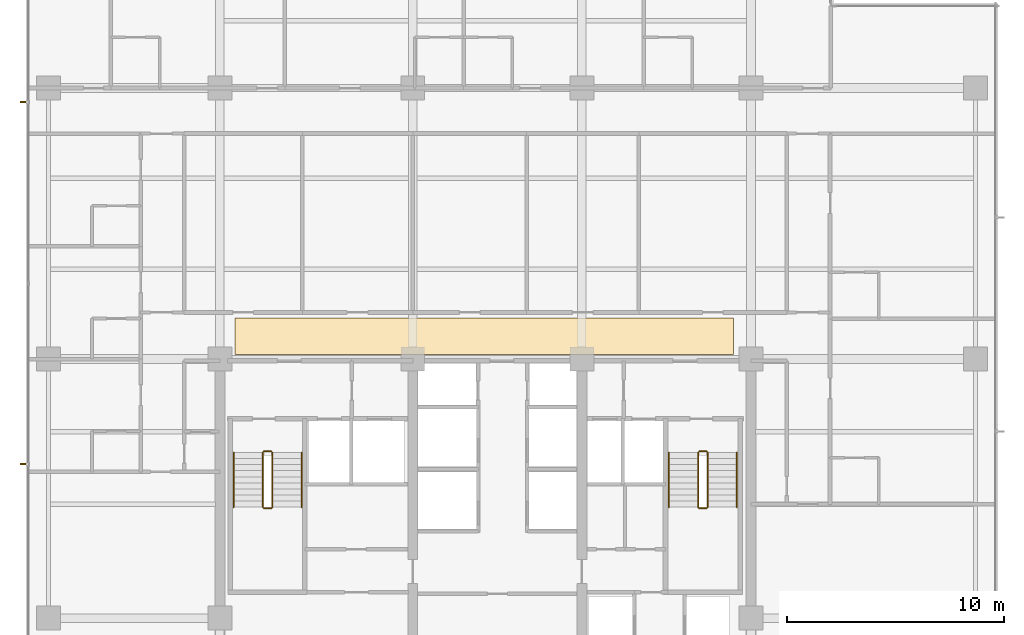
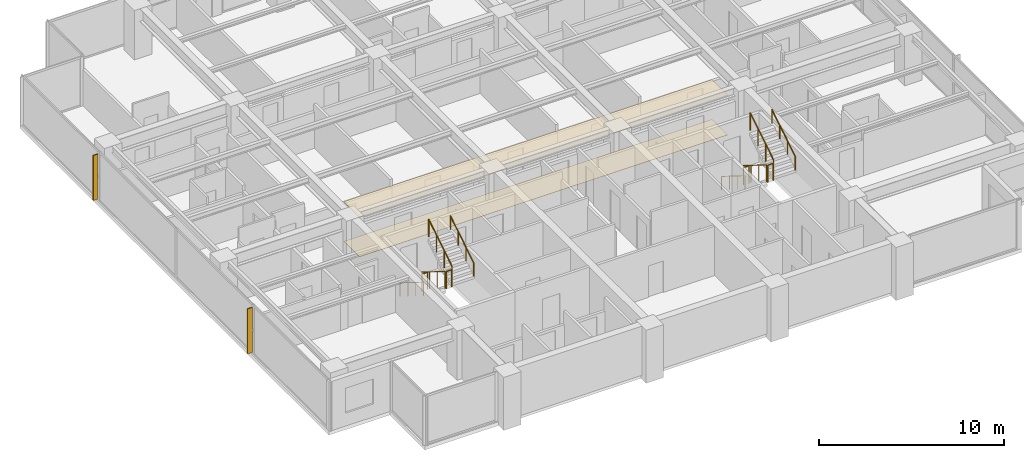
# One storey, part 14 of 15: 12 railings, 2 coverings, 2 shading devices.
"""IFC4 building model written with IfcOpenShell, lengths in metres."""

from ifc_helpers import new_model, si_unit, direction, frame, origin, origin_2d, place, context, subcontext, project, spatial, polyline, circle, outline, extrude, material, layer, layer_set, type_object, element, save


model = new_model("IFC4")

# Units and contexts
model_context = context("Model", 3, precision=1e-05, world=origin(), true_north=direction((0.0, 1.0)))
body_context = subcontext(model_context, "Body", "Model", "MODEL_VIEW")
ifc_project = project(units=[si_unit("LENGTHUNIT", "METRE"), si_unit("AREAUNIT", "SQUARE_METRE"), si_unit("VOLUMEUNIT", "CUBIC_METRE"), si_unit("PLANEANGLEUNIT", "RADIAN"), si_unit("MASSUNIT", "GRAM", prefix="KILO")], contexts=[model_context])

# Site, building, storey
site_placement = place(None, origin())
site = spatial("IfcSite", under=ifc_project, at=site_placement, CompositionType="ELEMENT")
building_placement = place(site_placement, origin())
building = spatial("IfcBuilding", under=site, at=building_placement, Name="Qalmaran Belvedere Hotel", CompositionType="ELEMENT")
storey_placement = place(building_placement, frame((0.0, 0.0, 142.10009765625)))
storey = spatial("IfcBuildingStorey", under=building, at=storey_placement, Name="L35", CompositionType="ELEMENT", Elevation=142.10009765625)

# Covering
ifc_material_1 = material(Name="Acoustic Mineral Ceiling")
ifc_layer_1 = layer(ifc_material_1, 0.0400390625, Name="Acoustic Mineral Ceiling")
ifc_layer_set_1 = layer_set([ifc_layer_1], Name="Acoustic Mineral Ceiling")
covering_type_1 = type_object("IfcCoveringType", Name="CLG-ACOUSTIC-40", PredefinedType="CEILING", material=ifc_layer_set_1)
covering_1_placement = place(storey_placement, frame((0.0, 0.0, 2.599853515625)))
element("IfcCovering", 1, at=covering_1_placement, inside=storey, type_object=covering_type_1, Name="L35 Acoustic Corridor Ceiling", PredefinedType="CEILING", context=body_context, shape_type="SweptSolid", body=[
    extrude(outline(polyline([(21.0, 20.699951171875), (44.0, 20.699951171875), (44.0, 22.39990234375), (21.0, 22.39990234375), (21.0, 20.699951171875)])), origin(), (0.0, 0.0, 1.0), 0.0400390625),
])

# Shading devices
ifc_material_2 = material(Name="Anodised Bronze Aluminium", Category="aluminium")
ifc_layer_2 = layer(ifc_material_2, 0.06494140625, Name="Anodised Bronze Aluminium")
ifc_layer_set_2 = layer_set([ifc_layer_2], Name="Anodised Bronze Aluminium")
shading_device_type = type_object("IfcShadingDeviceType", Name="FIN-BRNZ-300", PredefinedType="USERDEFINED", material=ifc_layer_set_2)
shading_device_1_placement = place(storey_placement, frame((0.0, 0.0, 0.159912109375)))
element("IfcShadingDevice", 2, at=shading_device_1_placement, inside=storey, type_object=shading_device_type, Name="L35 Bronze Fin 1", ObjectType="FIN", PredefinedType="USERDEFINED", context=body_context, shape_type="SweptSolid", body=[
    extrude(outline(polyline([(11.3798828125, 32.382568359375), (11.080078125, 32.382568359375), (11.080078125, 32.3173828125), (11.3798828125, 32.3173828125), (11.3798828125, 32.382568359375)])), origin(), (0.0, 0.0, 1.0), 2.969970703125),
])
shading_device_2_placement = place(storey_placement, frame((0.0, 0.0, 0.159912109375)))
element("IfcShadingDevice", 3, at=shading_device_2_placement, inside=storey, type_object=shading_device_type, Name="L35 Bronze Fin 3", ObjectType="FIN", PredefinedType="USERDEFINED", context=body_context, shape_type="SweptSolid", body=[
    extrude(outline(polyline([(11.3798828125, 15.6826171875), (11.080078125, 15.6826171875), (11.080078125, 15.617431640625), (11.3798828125, 15.617431640625), (11.3798828125, 15.6826171875)])), origin(), (0.0, 0.0, 1.0), 2.969970703125),
])

# Covering
ifc_material_3 = material(Name="Polished Stone Terrazzo", Category="masonry")
ifc_layer_3 = layer(ifc_material_3, 0.01806640625, Name="Polished Stone Terrazzo")
ifc_layer_set_3 = layer_set([ifc_layer_3], Name="Polished Stone Terrazzo")
covering_type_2 = type_object("IfcCoveringType", Name="FIN-TERRAZZO-18", PredefinedType="FLOORING", material=ifc_layer_set_3)
covering_2_placement = place(storey_placement, frame((0.0, 0.0, 0.001953125)))
element("IfcCovering", 4, at=covering_2_placement, inside=storey, type_object=covering_type_2, Name="L35 Limestone Corridor Flooring", PredefinedType="FLOORING", context=body_context, shape_type="SweptSolid", body=[
    extrude(outline(polyline([(21.0, 20.699951171875), (44.0, 20.699951171875), (44.0, 22.39990234375), (21.0, 22.39990234375), (21.0, 20.699951171875)])), origin(), (0.0, 0.0, 1.0), 0.01806640625),
])

# Railings
ifc_material_4 = material(Name="Stainless Steel 1.4401", Category="steel")
railing_type_1 = type_object("IfcRailingType", Name="RLG-STAIR-GUARD-1150", PredefinedType="GUARDRAIL", material=ifc_material_4)
railing_1_placement = place(storey_placement, frame((22.280029296875, 16.18994140625, 0.1748046875)))
element("IfcRailing", 5, at=railing_1_placement, inside=storey, type_object=railing_type_1, Name="L35 ST-1 stair guard 1", PredefinedType="GUARDRAIL", context=body_context, shape_type="SweptSolid", body=[
    extrude(circle(Radius=0.02392578125, at=origin_2d()), frame((0.0, 0.0, 1.1259765625), z_axis=(0.0, -0.847970611238, 0.530043245855), x_axis=(1.0, 0.0, 0.0)), (0.0, 0.0, 1.0), 2.971923828125),
    extrude(circle(Radius=0.02099609375, at=origin_2d()), origin(), (0.0, 0.0, 1.0), 1.101806640625),
    extrude(circle(Radius=0.02099609375, at=origin_2d()), frame((0.0, -0.840087890625, 0.525146484375)), (0.0, 0.0, 1.0), 1.101806640625),
    extrude(circle(Radius=0.02099609375, at=origin_2d()), frame((0.0, -1.679931640625, 1.050048828125)), (0.0, 0.0, 1.0), 1.101806640625),
    extrude(circle(Radius=0.02099609375, at=origin_2d()), frame((0.0, -2.52001953125, 1.5751953125)), (0.0, 0.0, 1.0), 1.101806640625),
])
railing_2_placement = place(storey_placement, frame((22.330078125, 13.6201171875, 1.75)))
element("IfcRailing", 6, at=railing_2_placement, inside=storey, type_object=railing_type_1, Name="L35 ST-1 stair guard 2", PredefinedType="GUARDRAIL", context=body_context, shape_type="SweptSolid", body=[
    extrude(circle(Radius=0.02392578125, at=origin_2d()), frame((0.0, 0.0, 1.1259765625), z_axis=(1.0, 0.0, 0.0), x_axis=(0.0, 1.0, 0.0)), (0.0, 0.0, 1.0), 0.33984375),
    extrude(circle(Radius=0.02099609375, at=origin_2d()), origin(), (0.0, 0.0, 1.0), 1.101806640625),
    extrude(circle(Radius=0.02099609375, at=origin_2d()), frame((0.33984375, 0.0, 0.0)), (0.0, 0.0, 1.0), 1.101806640625),
])
railing_3_placement = place(storey_placement, frame((22.719970703125, 13.669921875, 1.9248046875)))
element("IfcRailing", 7, at=railing_3_placement, inside=storey, type_object=railing_type_1, Name="L35 ST-1 stair guard 3", PredefinedType="GUARDRAIL", context=body_context, shape_type="SweptSolid", body=[
    extrude(circle(Radius=0.02392578125, at=origin_2d()), frame((0.0, 0.0, 1.1259765625), z_axis=(0.0, 0.847970611238, 0.530043245855), x_axis=(-1.0, 0.0, 0.0)), (0.0, 0.0, 1.0), 2.971923828125),
    extrude(circle(Radius=0.02099609375, at=origin_2d()), origin(), (0.0, 0.0, 1.0), 1.101806640625),
    extrude(circle(Radius=0.02099609375, at=origin_2d()), frame((0.0, 0.840087890625, 0.525146484375)), (0.0, 0.0, 1.0), 1.101806640625),
    extrude(circle(Radius=0.02099609375, at=origin_2d()), frame((0.0, 1.679931640625, 1.050048828125)), (0.0, 0.0, 1.0), 1.101806640625),
    extrude(circle(Radius=0.02099609375, at=origin_2d()), frame((0.0, 2.52001953125, 1.5751953125)), (0.0, 0.0, 1.0), 1.101806640625),
])
railing_4_placement = place(storey_placement, frame((22.330078125, 16.239990234375, 0.0)))
element("IfcRailing", 8, at=railing_4_placement, inside=storey, type_object=railing_type_1, Name="L35 ST-1 stair guard 4", PredefinedType="GUARDRAIL", context=body_context, shape_type="SweptSolid", body=[
    extrude(circle(Radius=0.02392578125, at=origin_2d()), frame((0.0, 0.0, 1.1259765625), z_axis=(1.0, 0.0, 0.0), x_axis=(0.0, 1.0, 0.0)), (0.0, 0.0, 1.0), 0.33984375),
    extrude(circle(Radius=0.02099609375, at=origin_2d()), origin(), (0.0, 0.0, 1.0), 1.101806640625),
    extrude(circle(Radius=0.02099609375, at=origin_2d()), frame((0.33984375, 0.0, 0.0)), (0.0, 0.0, 1.0), 1.101806640625),
])
railing_5_placement = place(storey_placement, frame((42.360107421875, 16.18994140625, 0.1748046875)))
element("IfcRailing", 9, at=railing_5_placement, inside=storey, type_object=railing_type_1, Name="L35 ST-2 stair guard 1", PredefinedType="GUARDRAIL", context=body_context, shape_type="SweptSolid", body=[
    extrude(circle(Radius=0.02392578125, at=origin_2d()), frame((0.0, 0.0, 1.1259765625), z_axis=(0.0, -0.847970611238, 0.530043245855), x_axis=(1.0, 0.0, 0.0)), (0.0, 0.0, 1.0), 2.971923828125),
    extrude(circle(Radius=0.02099609375, at=origin_2d()), origin(), (0.0, 0.0, 1.0), 1.101806640625),
    extrude(circle(Radius=0.02099609375, at=origin_2d()), frame((0.0, -0.840087890625, 0.525146484375)), (0.0, 0.0, 1.0), 1.101806640625),
    extrude(circle(Radius=0.02099609375, at=origin_2d()), frame((0.0, -1.679931640625, 1.050048828125)), (0.0, 0.0, 1.0), 1.101806640625),
    extrude(circle(Radius=0.02099609375, at=origin_2d()), frame((0.0, -2.52001953125, 1.5751953125)), (0.0, 0.0, 1.0), 1.101806640625),
])
railing_6_placement = place(storey_placement, frame((42.409912109375, 13.6201171875, 1.75)))
element("IfcRailing", 10, at=railing_6_placement, inside=storey, type_object=railing_type_1, Name="L35 ST-2 stair guard 2", PredefinedType="GUARDRAIL", context=body_context, shape_type="SweptSolid", body=[
    extrude(circle(Radius=0.02392578125, at=origin_2d()), frame((0.0, 0.0, 1.1259765625), z_axis=(1.0, 0.0, 0.0), x_axis=(0.0, 1.0, 0.0)), (0.0, 0.0, 1.0), 0.340087890625),
    extrude(circle(Radius=0.02099609375, at=origin_2d()), origin(), (0.0, 0.0, 1.0), 1.101806640625),
    extrude(circle(Radius=0.02099609375, at=origin_2d()), frame((0.340087890625, 0.0, 0.0)), (0.0, 0.0, 1.0), 1.101806640625),
])
railing_7_placement = place(storey_placement, frame((42.800048828125, 13.669921875, 1.9248046875)))
element("IfcRailing", 11, at=railing_7_placement, inside=storey, type_object=railing_type_1, Name="L35 ST-2 stair guard 3", PredefinedType="GUARDRAIL", context=body_context, shape_type="SweptSolid", body=[
    extrude(circle(Radius=0.02392578125, at=origin_2d()), frame((0.0, 0.0, 1.1259765625), z_axis=(0.0, 0.847970611238, 0.530043245855), x_axis=(-1.0, 0.0, 0.0)), (0.0, 0.0, 1.0), 2.971923828125),
    extrude(circle(Radius=0.02099609375, at=origin_2d()), origin(), (0.0, 0.0, 1.0), 1.101806640625),
    extrude(circle(Radius=0.02099609375, at=origin_2d()), frame((0.0, 0.840087890625, 0.525146484375)), (0.0, 0.0, 1.0), 1.101806640625),
    extrude(circle(Radius=0.02099609375, at=origin_2d()), frame((0.0, 1.679931640625, 1.050048828125)), (0.0, 0.0, 1.0), 1.101806640625),
    extrude(circle(Radius=0.02099609375, at=origin_2d()), frame((0.0, 2.52001953125, 1.5751953125)), (0.0, 0.0, 1.0), 1.101806640625),
])
railing_8_placement = place(storey_placement, frame((42.409912109375, 16.239990234375, 0.0)))
element("IfcRailing", 12, at=railing_8_placement, inside=storey, type_object=railing_type_1, Name="L35 ST-2 stair guard 4", PredefinedType="GUARDRAIL", context=body_context, shape_type="SweptSolid", body=[
    extrude(circle(Radius=0.02392578125, at=origin_2d()), frame((0.0, 0.0, 1.1259765625), z_axis=(1.0, 0.0, 0.0), x_axis=(0.0, 1.0, 0.0)), (0.0, 0.0, 1.0), 0.340087890625),
    extrude(circle(Radius=0.02099609375, at=origin_2d()), origin(), (0.0, 0.0, 1.0), 1.101806640625),
    extrude(circle(Radius=0.02099609375, at=origin_2d()), frame((0.340087890625, 0.0, 0.0)), (0.0, 0.0, 1.0), 1.101806640625),
])
railing_type_2 = type_object("IfcRailingType", Name="RLG-STAIR-HAND-910", PredefinedType="HANDRAIL", material=ifc_material_4)
railing_9_placement = place(storey_placement, frame((20.929931640625, 16.18994140625, 0.1748046875)))
element("IfcRailing", 13, at=railing_9_placement, inside=storey, type_object=railing_type_2, Name="L35 ST-1 stair handrail 1", PredefinedType="HANDRAIL", context=body_context, shape_type="SweptSolid", body=[
    extrude(circle(Radius=0.02392578125, at=origin_2d()), frame((0.0, 0.0, 0.8857421875), z_axis=(0.0, -0.847970611238, 0.530043245855), x_axis=(1.0, 0.0, 0.0)), (0.0, 0.0, 1.0), 2.971923828125),
    extrude(circle(Radius=0.02099609375, at=origin_2d()), origin(), (0.0, 0.0, 1.0), 0.86181640625),
    extrude(circle(Radius=0.02099609375, at=origin_2d()), frame((0.0, -0.840087890625, 0.525146484375)), (0.0, 0.0, 1.0), 0.86181640625),
    extrude(circle(Radius=0.02099609375, at=origin_2d()), frame((0.0, -1.679931640625, 1.050048828125)), (0.0, 0.0, 1.0), 0.86181640625),
    extrude(circle(Radius=0.02099609375, at=origin_2d()), frame((0.0, -2.52001953125, 1.5751953125)), (0.0, 0.0, 1.0), 0.86181640625),
])
railing_10_placement = place(storey_placement, frame((24.070068359375, 13.669921875, 1.9248046875)))
element("IfcRailing", 14, at=railing_10_placement, inside=storey, type_object=railing_type_2, Name="L35 ST-1 stair handrail 2", PredefinedType="HANDRAIL", context=body_context, shape_type="SweptSolid", body=[
    extrude(circle(Radius=0.02392578125, at=origin_2d()), frame((0.0, 0.0, 0.8857421875), z_axis=(0.0, 0.847970611238, 0.530043245855), x_axis=(-1.0, 0.0, 0.0)), (0.0, 0.0, 1.0), 2.971923828125),
    extrude(circle(Radius=0.02099609375, at=origin_2d()), origin(), (0.0, 0.0, 1.0), 0.86181640625),
    extrude(circle(Radius=0.02099609375, at=origin_2d()), frame((0.0, 0.840087890625, 0.525146484375)), (0.0, 0.0, 1.0), 0.86181640625),
    extrude(circle(Radius=0.02099609375, at=origin_2d()), frame((0.0, 1.679931640625, 1.050048828125)), (0.0, 0.0, 1.0), 0.86181640625),
    extrude(circle(Radius=0.02099609375, at=origin_2d()), frame((0.0, 2.52001953125, 1.5751953125)), (0.0, 0.0, 1.0), 0.86181640625),
])
railing_11_placement = place(storey_placement, frame((41.010009765625, 16.18994140625, 0.1748046875)))
element("IfcRailing", 15, at=railing_11_placement, inside=storey, type_object=railing_type_2, Name="L35 ST-2 stair handrail 1", PredefinedType="HANDRAIL", context=body_context, shape_type="SweptSolid", body=[
    extrude(circle(Radius=0.02392578125, at=origin_2d()), frame((0.0, 0.0, 0.8857421875), z_axis=(0.0, -0.847970611238, 0.530043245855), x_axis=(1.0, 0.0, 0.0)), (0.0, 0.0, 1.0), 2.971923828125),
    extrude(circle(Radius=0.02099609375, at=origin_2d()), origin(), (0.0, 0.0, 1.0), 0.86181640625),
    extrude(circle(Radius=0.02099609375, at=origin_2d()), frame((0.0, -0.840087890625, 0.525146484375)), (0.0, 0.0, 1.0), 0.86181640625),
    extrude(circle(Radius=0.02099609375, at=origin_2d()), frame((0.0, -1.679931640625, 1.050048828125)), (0.0, 0.0, 1.0), 0.86181640625),
    extrude(circle(Radius=0.02099609375, at=origin_2d()), frame((0.0, -2.52001953125, 1.5751953125)), (0.0, 0.0, 1.0), 0.86181640625),
])
railing_12_placement = place(storey_placement, frame((44.14990234375, 13.669921875, 1.9248046875)))
element("IfcRailing", 16, at=railing_12_placement, inside=storey, type_object=railing_type_2, Name="L35 ST-2 stair handrail 2", PredefinedType="HANDRAIL", context=body_context, shape_type="SweptSolid", body=[
    extrude(circle(Radius=0.02392578125, at=origin_2d()), frame((0.0, 0.0, 0.8857421875), z_axis=(0.0, 0.847970611238, 0.530043245855), x_axis=(-1.0, 0.0, 0.0)), (0.0, 0.0, 1.0), 2.971923828125),
    extrude(circle(Radius=0.02099609375, at=origin_2d()), origin(), (0.0, 0.0, 1.0), 0.86181640625),
    extrude(circle(Radius=0.02099609375, at=origin_2d()), frame((0.0, 0.840087890625, 0.525146484375)), (0.0, 0.0, 1.0), 0.86181640625),
    extrude(circle(Radius=0.02099609375, at=origin_2d()), frame((0.0, 1.679931640625, 1.050048828125)), (0.0, 0.0, 1.0), 0.86181640625),
    extrude(circle(Radius=0.02099609375, at=origin_2d()), frame((0.0, 2.52001953125, 1.5751953125)), (0.0, 0.0, 1.0), 0.86181640625),
])

save(model, "model.ifc")
